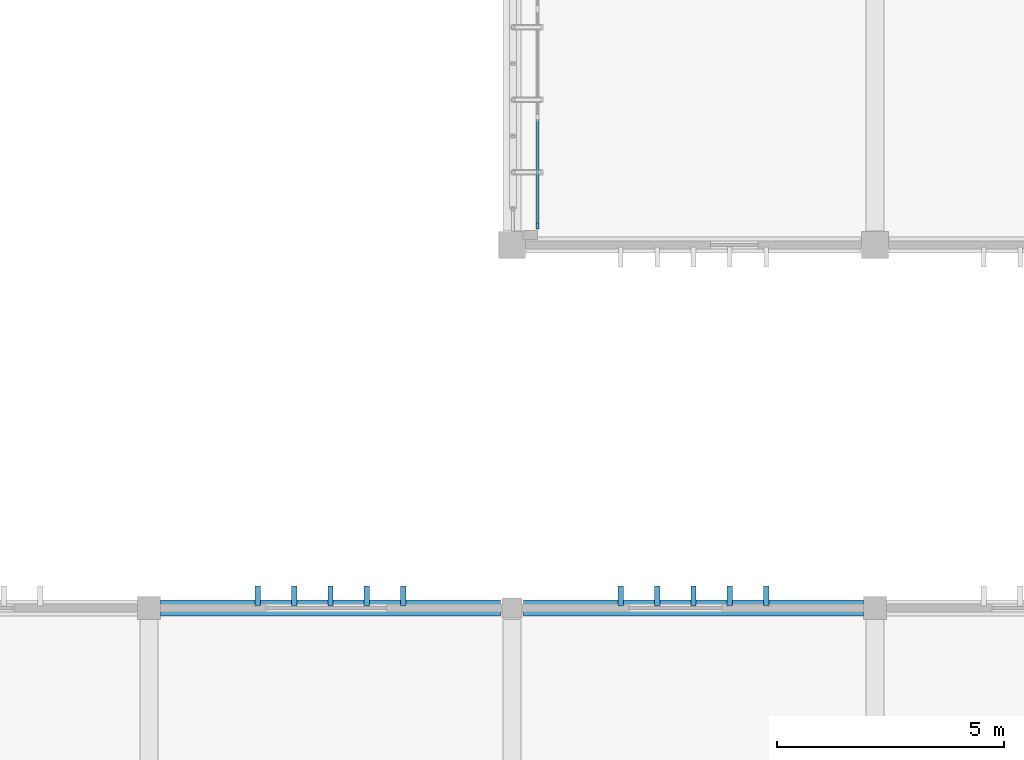
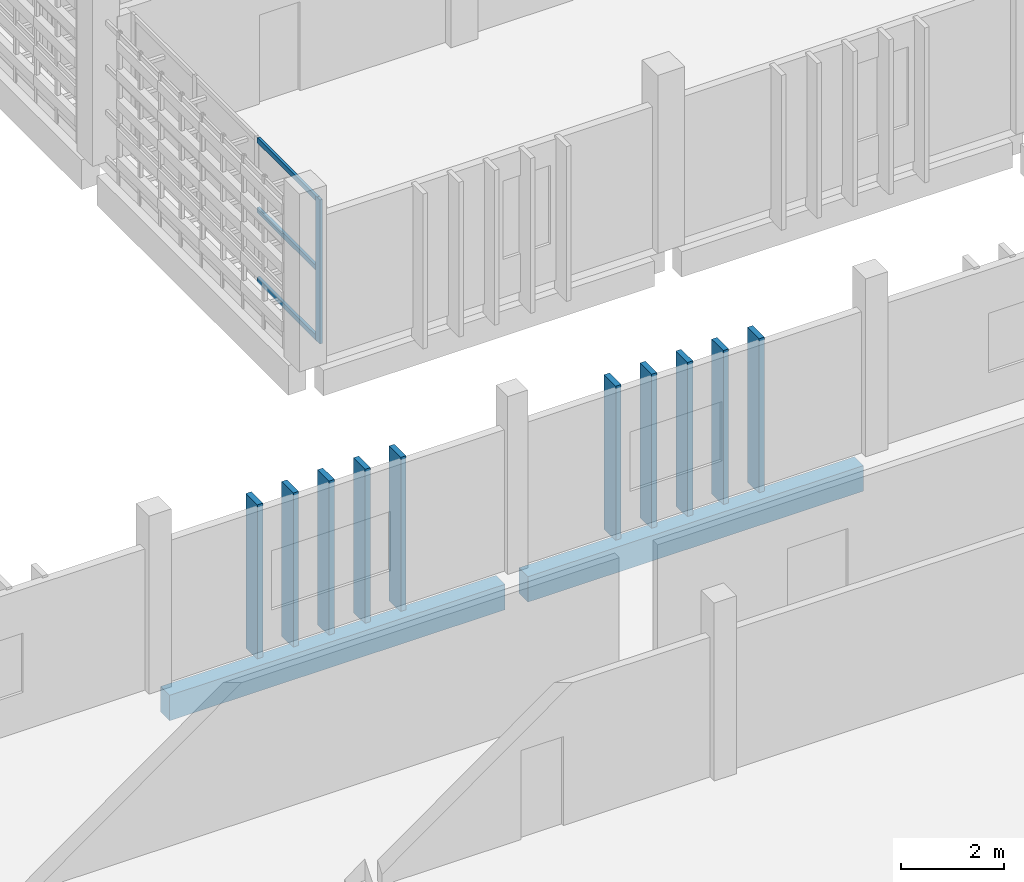
# One storey, part 19 of 63: 14 members, 2 beams, 1 element without a shape of its own.
"""IFC4 building model written with IfcOpenShell, lengths in metres."""

from ifc_helpers import new_model, si_unit, direction, frame, origin, origin_2d, place, context, subcontext, project, spatial, rectangle, extrude, material, layer, layer_set, material_profile, profile_set, type_object, element, aggregate, save


model = new_model("IFC4")

# Units and contexts
model_context = context("Model", 3, precision=1e-05, world=origin(), true_north=direction((0.0, 1.0)))
body_context = subcontext(model_context, "Body", "Model", "MODEL_VIEW")
ifc_project = project(units=[si_unit("LENGTHUNIT", "METRE"), si_unit("AREAUNIT", "SQUARE_METRE"), si_unit("VOLUMEUNIT", "CUBIC_METRE"), si_unit("PLANEANGLEUNIT", "RADIAN"), si_unit("MASSUNIT", "GRAM", prefix="KILO")], contexts=[model_context])

# Site, building, storey
site_placement = place(None, origin())
site = spatial("IfcSite", under=ifc_project, at=site_placement, CompositionType="ELEMENT")
building_placement = place(site_placement, origin())
building = spatial("IfcBuilding", under=site, at=building_placement, Name="Jelvoka-Kovrelna Polytechnic", CompositionType="ELEMENT")
storey_placement = place(building_placement, frame((0.0, 0.0, 18.0)))
storey = spatial("IfcBuildingStorey", under=building, at=storey_placement, Name="L05", CompositionType="ELEMENT", Elevation=18.0)

# Members
ifc_material_1 = material(Name="Precast concrete C40/50", Category="concrete")
ifc_material_profile_1 = material_profile(ifc_material_1, rectangle(XDim=0.1201171875, YDim=0.449951171875, at=origin_2d()), Name="PC 120x450")
ifc_profile_set_1 = profile_set([ifc_material_profile_1], Name="Precast concrete C40/50")
member_type_1 = type_object("IfcMemberType", Name="Louvre_Fin_120x450", PredefinedType="USERDEFINED", material=ifc_profile_set_1)
for number, where, z_axis, x_axis, name in (
    (1, (122.39990234375, 24.264892578125, -0.27001953125), (0.0, 0.0, 1.0), (1.0, 0.0, 0.0), "L05 B1 north vertical solar louvre fin 0526"),
    (2, (123.199951171875, 24.264892578125, -0.27001953125), (0.0, 0.0, 1.0), (1.0, 0.0, 0.0), "L05 B1 north vertical solar louvre fin 0527"),
    (3, (124.0, 24.264892578125, -0.27001953125), (0.0, 0.0, 1.0), (1.0, 0.0, 0.0), "L05 B1 north vertical solar louvre fin 0528"),
    (4, (124.800048828125, 24.264892578125, -0.27001953125), (0.0, 0.0, 1.0), (1.0, 0.0, 0.0), "L05 B1 north vertical solar louvre fin 0529"),
    (5, (125.60009765625, 24.264892578125, -0.27001953125), (0.0, 0.0, 1.0), (1.0, 0.0, 0.0), "L05 B1 north vertical solar louvre fin 0530"),
    (6, (130.39990234375, 24.264892578125, -0.27001953125), (0.0, 0.0, 1.0), (1.0, 0.0, 0.0), "L05 B1 north vertical solar louvre fin 0536"),
    (7, (131.199951171875, 24.264892578125, -0.27001953125), (0.0, 0.0, 1.0), (1.0, 0.0, 0.0), "L05 B1 north vertical solar louvre fin 0537"),
    (8, (132.0, 24.264892578125, -0.27001953125), (0.0, 0.0, 1.0), (1.0, 0.0, 0.0), "L05 B1 north vertical solar louvre fin 0538"),
    (9, (132.800048828125, 24.264892578125, -0.27001953125), (0.0, 0.0, 1.0), (1.0, 0.0, 0.0), "L05 B1 north vertical solar louvre fin 0539"),
    (10, (133.60009765625, 24.264892578125, -0.27001953125), (0.0, 0.0, 1.0), (1.0, 0.0, 0.0), "L05 B1 north vertical solar louvre fin 0540"),
):
    element("IfcMember", number, at=place(storey_placement, frame(where, z_axis=z_axis, x_axis=x_axis)), inside=storey, type_object=member_type_1, Name=name, ObjectType="SUNSHADE", PredefinedType="USERDEFINED", context=body_context, shape_type="SweptSolid", body=[
        extrude(rectangle(XDim=0.1201171875, YDim=0.449951171875, at=origin_2d()), origin(), (0.0, 0.0, 1.0), 3.655029296875),
    ])

# Curtain wall, member
ifc_material_2 = material(Name="Anodised aluminium 6063-T6", Category="aluminium")
ifc_layer = layer(ifc_material_2, 0.159912109375)
ifc_layer_set = layer_set([ifc_layer], Name="Anodised aluminium 6063-T6")
curtain_wall_type = type_object("IfcCurtainWallType", Name="CW_Recessed_A", PredefinedType="NOTDEFINED", material=ifc_layer_set)
curtain_wall_placement = place(storey_placement, origin())
curtain_wall = element("IfcCurtainWall", 11, at=curtain_wall_placement, inside=storey, type_object=curtain_wall_type, Name="L05 glazed curtain wall 070", PredefinedType="NOTDEFINED")
ifc_material_3 = material(Name="Anodised aluminium 6063-T6", Category="aluminium")
ifc_material_profile_2 = material_profile(ifc_material_3, rectangle(XDim=0.06005859375, YDim=0.159912109375, at=origin_2d()), Name="ALU 60x160")
ifc_profile_set_2 = profile_set([ifc_material_profile_2], Name="Anodised aluminium 6063-T6")
member_type_2 = type_object("IfcMemberType", Name="Mullion_M-01", PredefinedType="MULLION", material=ifc_profile_set_2)
member_1_placement = place(storey_placement, frame((128.56005859375, 32.429931640625, -0.02490234375), z_axis=(0.0, 0.0, 1.0), x_axis=(-1.0, 0.0, 0.0)))
member_1 = element("IfcMember", 12, at=member_1_placement, type_object=member_type_2, Name="CW-01 mullion 1", PredefinedType="MULLION", context=body_context, shape_type="SweptSolid", body=[
    extrude(rectangle(XDim=0.06005859375, YDim=0.159912109375, at=origin_2d()), origin(), (0.0, 0.0, 1.0), 3.400146484375),
])

# Beams
ifc_material_4 = material(Name="Concrete C40/50", Category="concrete")
ifc_material_profile_3 = material_profile(ifc_material_4, rectangle(XDim=0.35009765625, YDim=0.60009765625, at=origin_2d()), Name="RC 350x600")
ifc_profile_set_3 = profile_set([ifc_material_profile_3], Name="Concrete C40/50")
beam_type = type_object("IfcBeamType", Name="Spandrel_RC_350x600", PredefinedType="SPANDREL", material=ifc_profile_set_3)
for number, where, z_axis, x_axis, name in (
    (13, (120.2548828125, 24.0, -0.550048828125), (1.0, 0.0, 0.0), (0.0, 1.0, 0.0), "L05 beam 1409"),
    (14, (128.2548828125, 24.0, -0.550048828125), (1.0, 0.0, 0.0), (0.0, 1.0, 0.0), "L05 beam 1410"),
):
    element("IfcBeam", number, at=place(storey_placement, frame(where, z_axis=z_axis, x_axis=x_axis)), inside=storey, type_object=beam_type, Name=name, PredefinedType="SPANDREL", context=body_context, shape_type="SweptSolid", body=[
        extrude(rectangle(XDim=0.35009765625, YDim=0.60009765625, at=origin_2d()), origin(), (0.0, 0.0, 1.0), 7.490234375),
    ])

# Member
ifc_material_5 = material(Name="Anodised aluminium 6063-T6", Category="aluminium")
ifc_material_profile_4 = material_profile(ifc_material_5, rectangle(XDim=0.06005859375, YDim=0.1201171875, at=origin_2d()), Name="ALU 60x120")
ifc_profile_set_4 = profile_set([ifc_material_profile_4], Name="Anodised aluminium 6063-T6")
member_type_3 = type_object("IfcMemberType", Name="Transom_T-01", PredefinedType="USERDEFINED", material=ifc_profile_set_4)
member_2_placement = place(storey_placement, frame((128.56005859375, 32.4599609375, 0.030029296875), z_axis=(0.0, 1.0, 0.0), x_axis=(-1.0, 0.0, 0.0)))
member_2 = element("IfcMember", 15, at=member_2_placement, type_object=member_type_3, Name="CW-01 transom 1.1", ObjectType="TRANSOM", PredefinedType="USERDEFINED", context=body_context, shape_type="SweptSolid", body=[
    extrude(rectangle(XDim=0.06005859375, YDim=0.1201171875, at=origin_2d()), origin(), (0.0, 0.0, 1.0), 2.31005859375),
])

member_3_placement = place(storey_placement, frame((128.56005859375, 32.4599609375, 1.675048828125), z_axis=(0.0, 1.0, 0.0), x_axis=(-1.0, 0.0, 0.0)))
member_3 = element("IfcMember", 16, at=member_3_placement, type_object=member_type_3, Name="CW-01 transom 1.2", ObjectType="TRANSOM", PredefinedType="USERDEFINED", context=body_context, shape_type="SweptSolid", body=[
    extrude(rectangle(XDim=0.06005859375, YDim=0.1201171875, at=origin_2d()), origin(), (0.0, 0.0, 1.0), 2.31005859375),
])

member_4_placement = place(storey_placement, frame((128.56005859375, 32.4599609375, 3.320068359375), z_axis=(0.0, 1.0, 0.0), x_axis=(-1.0, 0.0, 0.0)))
member_4 = element("IfcMember", 17, at=member_4_placement, type_object=member_type_3, Name="CW-01 transom 1.3", ObjectType="TRANSOM", PredefinedType="USERDEFINED", context=body_context, shape_type="SweptSolid", body=[
    extrude(rectangle(XDim=0.06005859375, YDim=0.1201171875, at=origin_2d()), origin(), (0.0, 0.0, 1.0), 2.31005859375),
])

aggregate(curtain_wall, [member_1, member_2, member_3, member_4])

save(model, "model.ifc")
